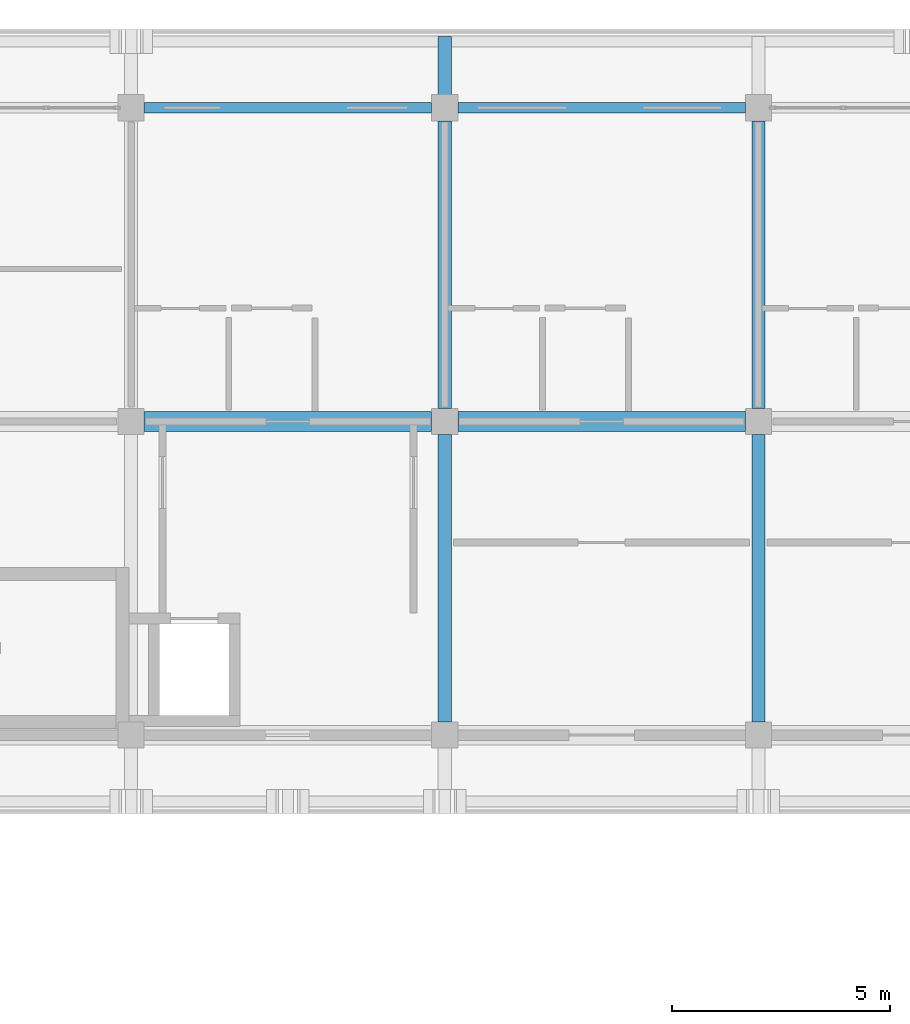
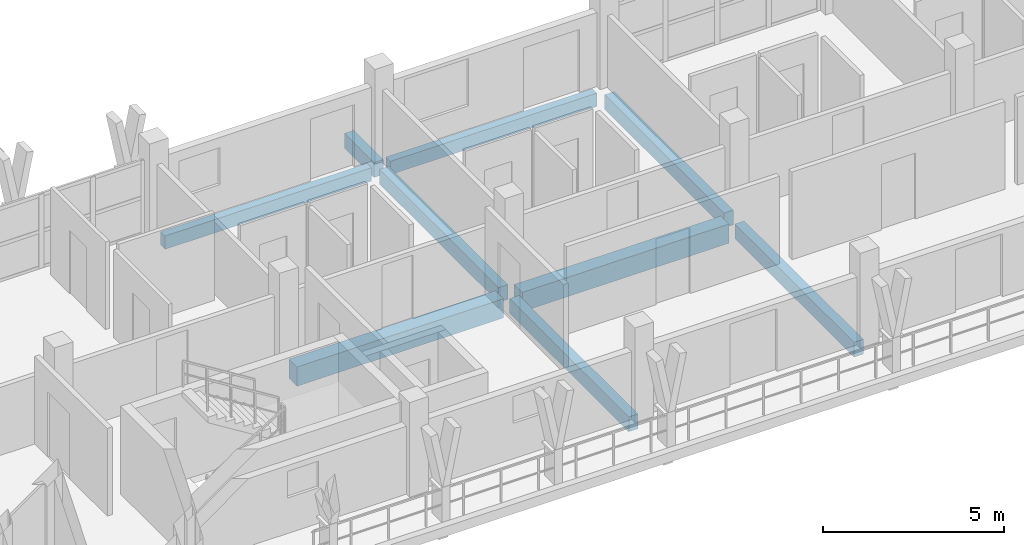
# One storey, part 12 of 56: 9 beams.
"""IFC4 building model written with IfcOpenShell, lengths in metres."""

from ifc_helpers import new_model, si_unit, direction, frame, origin, origin_2d, place, context, subcontext, project, spatial, rectangle, extrude, material, material_profile, profile_set, type_object, element, save


model = new_model("IFC4")

# Units and contexts
model_context = context("Model", 3, precision=1e-05, world=origin(), true_north=direction((0.0, 1.0)))
body_context = subcontext(model_context, "Body", "Model", "MODEL_VIEW")
ifc_project = project(units=[si_unit("LENGTHUNIT", "METRE"), si_unit("AREAUNIT", "SQUARE_METRE"), si_unit("VOLUMEUNIT", "CUBIC_METRE"), si_unit("PLANEANGLEUNIT", "RADIAN"), si_unit("MASSUNIT", "GRAM", prefix="KILO")], contexts=[model_context])

# Site, building, storey
site_placement = place(None, origin())
site = spatial("IfcSite", under=ifc_project, at=site_placement, CompositionType="ELEMENT")
building_placement = place(site_placement, origin())
building = spatial("IfcBuilding", under=site, at=building_placement, Name="Suanplinth Sawtooth Commons", CompositionType="ELEMENT")
storey_placement = place(building_placement, frame((0.0, 0.0, 34.800048828125)))
storey = spatial("IfcBuildingStorey", under=building, at=storey_placement, Name="L10", CompositionType="ELEMENT", Elevation=34.800048828125)

# Beams
ifc_material = material(Name="Precast concrete C40/50", Category="concrete")
ifc_material_profile_1 = material_profile(ifc_material, rectangle(XDim=0.449951171875, YDim=0.64990234375, at=origin_2d()), Name="PC-GDR 450x650")
ifc_profile_set_1 = profile_set([ifc_material_profile_1], Name="Precast concrete C40/50")
beam_type_1 = type_object("IfcBeamType", Name="B-04", PredefinedType="USERDEFINED", material=ifc_profile_set_1)
for number, where, z_axis, x_axis, name in (
    (1, (65.10009765625, 115.199951171875, -0.545166015625), (1.0, 0.0, 0.0), (0.0, 1.0, 0.0), "BMX-L10-A-9-16"),
    (2, (72.300048828125, 115.199951171875, -0.545166015625), (1.0, 0.0, 0.0), (0.0, 1.0, 0.0), "BMX-L10-A-10-16"),
):
    element("IfcBeam", number, at=place(storey_placement, frame(where, z_axis=z_axis, x_axis=x_axis)), inside=storey, type_object=beam_type_1, Name=name, ObjectType="GIRDER", PredefinedType="USERDEFINED", context=body_context, shape_type="SweptSolid", body=[
        extrude(rectangle(XDim=0.449951171875, YDim=0.64990234375, at=origin_2d()), origin(), (0.0, 0.0, 1.0), 6.599853515625),
    ])
ifc_material_profile_2 = material_profile(ifc_material, rectangle(XDim=0.300048828125, YDim=0.5, at=origin_2d()), Name="PC-BM 300x500")
ifc_profile_set_2 = profile_set([ifc_material_profile_2], Name="Precast concrete C40/50")
beam_type_2 = type_object("IfcBeamType", Name="B-07", PredefinedType="BEAM", material=ifc_profile_set_2)
beam_1_placement = place(storey_placement, frame((72.0, 108.300048828125, -0.469970703125), z_axis=(0.0, 1.0, 0.0), x_axis=(-1.0, 0.0, 0.0)))
element("IfcBeam", 3, at=beam_1_placement, inside=storey, type_object=beam_type_2, Name="BMY-L10-A-10-15", PredefinedType="BEAM", context=body_context, shape_type="SweptSolid", body=[
    extrude(rectangle(XDim=0.300048828125, YDim=0.5, at=origin_2d()), origin(), (0.0, 0.0, 1.0), 6.599853515625),
])
beam_2_placement = place(storey_placement, frame((72.0, 115.5, -0.469970703125), z_axis=(0.0, 1.0, 0.0), x_axis=(-1.0, 0.0, 0.0)))
element("IfcBeam", 4, at=beam_2_placement, inside=storey, type_object=beam_type_2, Name="BMY-L10-A-10-16", PredefinedType="BEAM", context=body_context, shape_type="SweptSolid", body=[
    extrude(rectangle(XDim=0.300048828125, YDim=0.5, at=origin_2d()), origin(), (0.0, 0.0, 1.0), 6.60009765625),
])
beam_3_placement = place(storey_placement, frame((79.199951171875, 108.300048828125, -0.469970703125), z_axis=(0.0, 1.0, 0.0), x_axis=(-1.0, 0.0, 0.0)))
element("IfcBeam", 5, at=beam_3_placement, inside=storey, type_object=beam_type_2, Name="BMY-L10-A-11-15", PredefinedType="BEAM", context=body_context, shape_type="SweptSolid", body=[
    extrude(rectangle(XDim=0.300048828125, YDim=0.5, at=origin_2d()), origin(), (0.0, 0.0, 1.0), 6.599853515625),
])
beam_4_placement = place(storey_placement, frame((79.199951171875, 115.5, -0.469970703125), z_axis=(0.0, 1.0, 0.0), x_axis=(-1.0, 0.0, 0.0)))
element("IfcBeam", 6, at=beam_4_placement, inside=storey, type_object=beam_type_2, Name="BMY-L10-A-11-16", PredefinedType="BEAM", context=body_context, shape_type="SweptSolid", body=[
    extrude(rectangle(XDim=0.300048828125, YDim=0.5, at=origin_2d()), origin(), (0.0, 0.0, 1.0), 6.60009765625),
])
beam_5_placement = place(storey_placement, frame((72.0, 122.39990234375, -0.429931640625), z_axis=(0.0, 1.0, 0.0), x_axis=(-1.0, 0.0, 0.0)))
element("IfcBeam", 7, at=beam_5_placement, inside=storey, type_object=beam_type_2, Name="Balcony Outrigger L10-A-N-10", PredefinedType="BEAM", context=body_context, shape_type="SweptSolid", body=[
    extrude(rectangle(XDim=0.300048828125, YDim=0.5, at=origin_2d()), origin(), (0.0, 0.0, 1.0), 1.64013671875),
])
ifc_material_profile_3 = material_profile(ifc_material, rectangle(XDim=0.25, YDim=0.449951171875, at=origin_2d()), Name="PC-SP 250x450")
ifc_profile_set_3 = profile_set([ifc_material_profile_3], Name="Precast concrete C40/50")
beam_type_3 = type_object("IfcBeamType", Name="B-09", PredefinedType="SPANDREL", material=ifc_profile_set_3)
for number, where, z_axis, x_axis, name in (
    (8, (65.10009765625, 122.39990234375, -0.445068359375), (1.0, 0.0, 0.0), (0.0, 1.0, 0.0), "BMX-L10-A-9-17"),
    (9, (72.300048828125, 122.39990234375, -0.445068359375), (1.0, 0.0, 0.0), (0.0, 1.0, 0.0), "BMX-L10-A-10-17"),
):
    element("IfcBeam", number, at=place(storey_placement, frame(where, z_axis=z_axis, x_axis=x_axis)), inside=storey, type_object=beam_type_3, Name=name, PredefinedType="SPANDREL", context=body_context, shape_type="SweptSolid", body=[
        extrude(rectangle(XDim=0.25, YDim=0.449951171875, at=origin_2d()), origin(), (0.0, 0.0, 1.0), 6.599853515625),
    ])

save(model, "model.ifc")
